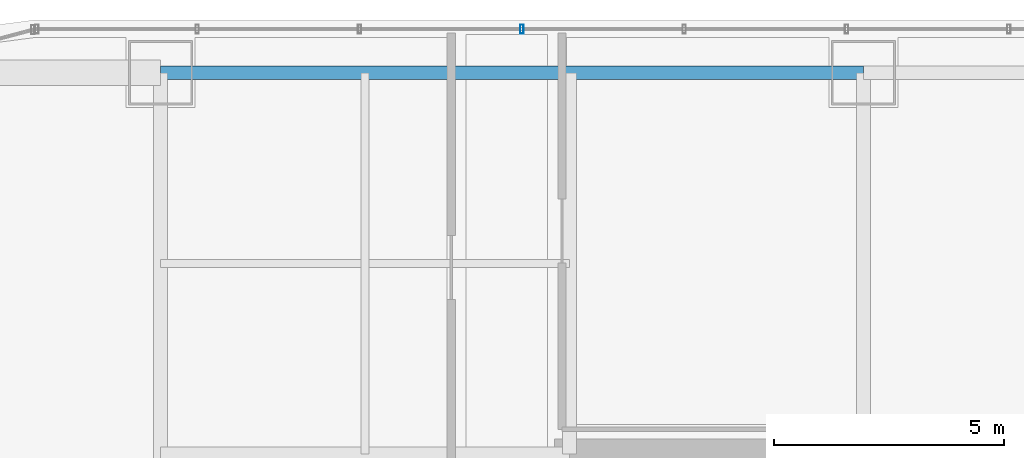
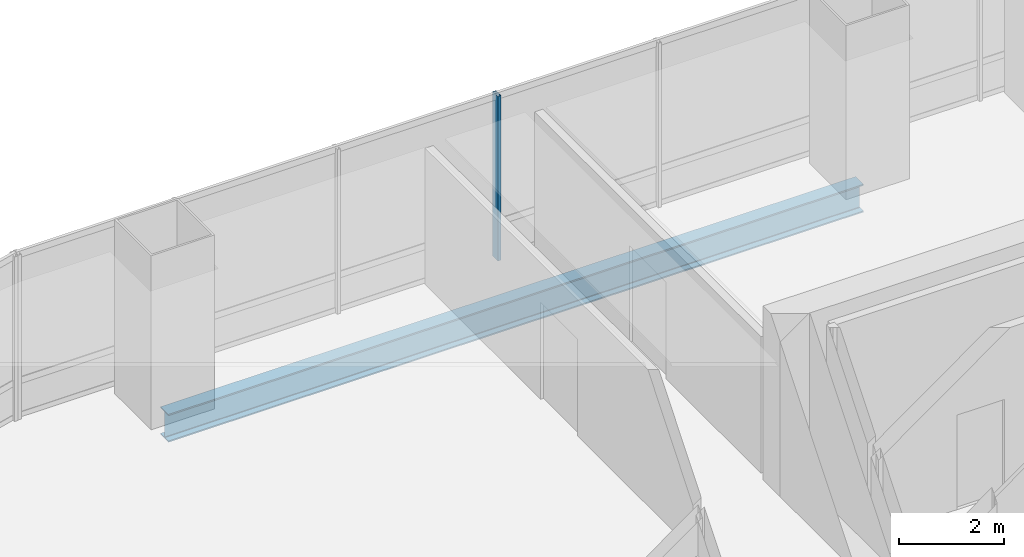
# One storey, part 21 of 37: 1 beam, 1 member, 1 element without a shape of its own.
"""IFC4 building model written with IfcOpenShell, lengths in metres."""

from ifc_helpers import new_model, si_unit, direction, frame, origin, origin_2d, place, context, subcontext, project, spatial, hollow_rectangle, i_section, extrude, material, material_profile, profile_set, type_object, element, aggregate, save


model = new_model("IFC4")

# Units and contexts
model_context = context("Model", 3, precision=1e-05, world=origin(), true_north=direction((0.0, 1.0)))
body_context = subcontext(model_context, "Body", "Model", "MODEL_VIEW")
ifc_project = project(units=[si_unit("LENGTHUNIT", "METRE"), si_unit("AREAUNIT", "SQUARE_METRE"), si_unit("VOLUMEUNIT", "CUBIC_METRE"), si_unit("PLANEANGLEUNIT", "RADIAN"), si_unit("MASSUNIT", "GRAM", prefix="KILO")], contexts=[model_context])

# Site, building, storey
site_placement = place(None, origin())
site = spatial("IfcSite", under=ifc_project, at=site_placement, CompositionType="ELEMENT")
building_placement = place(site_placement, origin())
building = spatial("IfcBuilding", under=site, at=building_placement, Name="Punatoya Terracotta Tower", CompositionType="ELEMENT")
storey_placement = place(building_placement, frame((0.0, 0.0, 192.449951171875)))
storey = spatial("IfcBuildingStorey", under=building, at=storey_placement, Name="L45", CompositionType="ELEMENT", Elevation=192.449951171875)

# Beam
ifc_material_1 = material(Name="Steel S355", Category="steel")
ifc_material_profile_1 = material_profile(ifc_material_1, i_section(OverallWidth=0.300048828125, OverallDepth=0.64990234375, WebThickness=0.01611328125, FlangeThickness=0.031005859375, FilletRadius=0.01806640625, at=origin_2d()))
ifc_profile_set_1 = profile_set([ifc_material_profile_1], Name="Steel S355")
beam_type = type_object("IfcBeamType", Name="BM-PRI-650", PredefinedType="BEAM", material=ifc_profile_set_1)
beam_placement = place(storey_placement, frame((-19.10009765625, 17.5, -0.544921875), z_axis=(1.0, 0.0, 0.0), x_axis=(0.0, 1.0, 0.0)))
element("IfcBeam", 1, at=beam_placement, inside=storey, type_object=beam_type, Name="BM-L45-RG-N1", PredefinedType="BEAM", context=body_context, shape_type="SweptSolid", body=[
    extrude(i_section(OverallWidth=0.300048828125, OverallDepth=0.64990234375, WebThickness=0.01611328125, FlangeThickness=0.031005859375, FilletRadius=0.01806640625, at=origin_2d()), origin(), (0.0, 0.0, 1.0), 15.300048828125),
])

# Curtain wall, member
ifc_material_2 = material(Name="Aluminium 6063-T6 + Double Low-E Glass", Category="aluminium")
curtain_wall_type = type_object("IfcCurtainWallType", Name="CW-M2", PredefinedType="NOTDEFINED", material=ifc_material_2)
curtain_wall_placement = place(storey_placement, origin())
curtain_wall = element("IfcCurtainWall", 2, at=curtain_wall_placement, inside=storey, type_object=curtain_wall_type, Name="L45 Curtain Wall CW-L45-N09-1", PredefinedType="NOTDEFINED")
ifc_material_3 = material(Name="Aluminium 6063-T6", Category="aluminium")
ifc_material_profile_2 = material_profile(ifc_material_3, hollow_rectangle(XDim=0.072021484375, YDim=0.195068359375, WallThickness=0.00439453125, at=origin_2d()))
ifc_profile_set_2 = profile_set([ifc_material_profile_2], Name="Aluminium 6063-T6")
member_type = type_object("IfcMemberType", Name="CW-MUL-M2", PredefinedType="MULLION", material=ifc_profile_set_2)
member_placement = place(storey_placement, frame((-11.235107421875, 18.449951171875, 0.0), z_axis=(0.0, 0.0, 1.0), x_axis=(1.0, 0.0, 0.0)))
member = element("IfcMember", 3, at=member_placement, type_object=member_type, Name="CW-L45-N09-1 Mullion 08", PredefinedType="MULLION", context=body_context, shape_type="SweptSolid", body=[
    extrude(hollow_rectangle(XDim=0.072021484375, YDim=0.195068359375, WallThickness=0.00439453125, at=origin_2d()), origin(), (0.0, 0.0, 1.0), 3.830078125),
])
aggregate(curtain_wall, [member])

save(model, "model.ifc")
